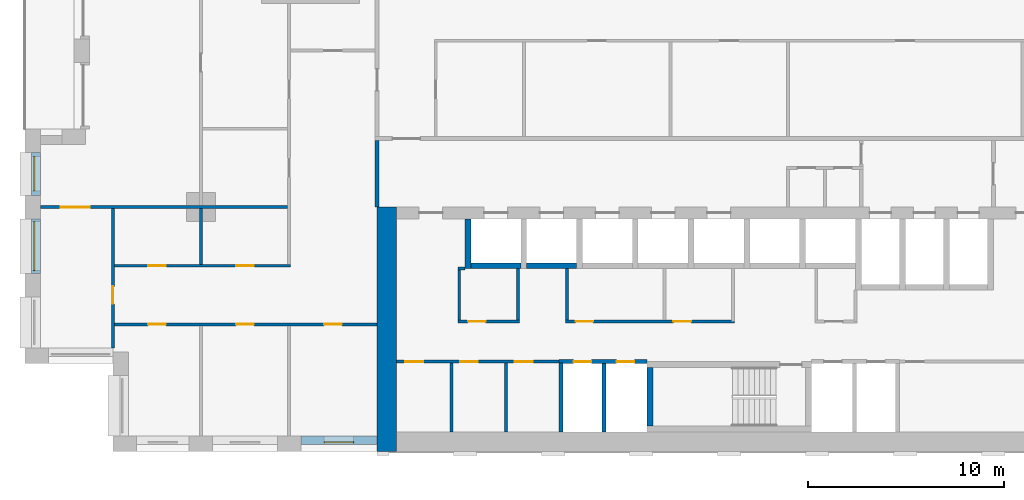
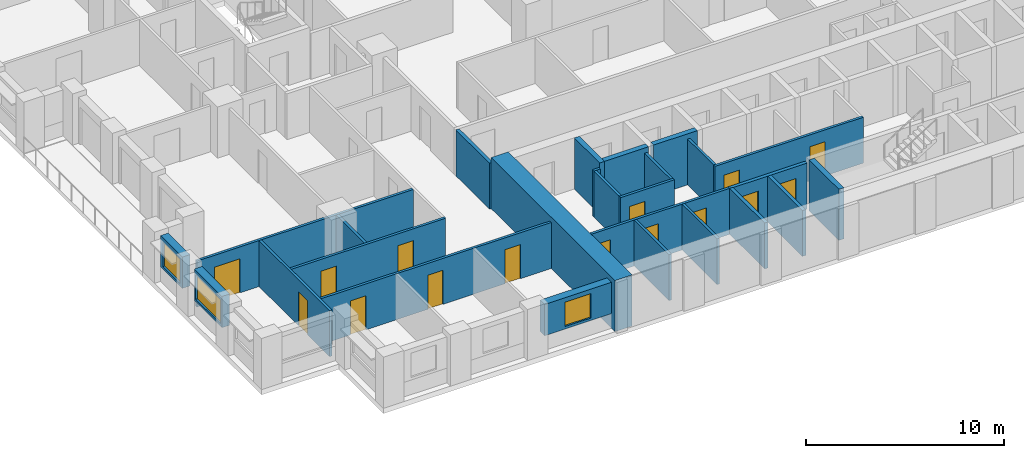
# One storey, part 9 of 20: 26 walls, 15 doors, 3 windows, 18 openings.
"""IFC4 building model written with IfcOpenShell, lengths in metres."""

from ifc_helpers import new_model, si_unit, direction, frame, frame_2d, origin, place, context, subcontext, project, spatial, rectangle, extrude, material, layer, layer_set, type_object, element, fill, save


model = new_model("IFC4")

# Units and contexts
model_context = context("Model", 3, precision=1e-05, world=origin(), true_north=direction((0.0, 1.0)))
body_context = subcontext(model_context, "Body", "Model", "MODEL_VIEW")
ifc_project = project(units=[si_unit("LENGTHUNIT", "METRE"), si_unit("AREAUNIT", "SQUARE_METRE"), si_unit("VOLUMEUNIT", "CUBIC_METRE"), si_unit("PLANEANGLEUNIT", "RADIAN"), si_unit("MASSUNIT", "GRAM", prefix="KILO")], contexts=[model_context])

# Site, building, storey
site_placement = place(None, origin())
site = spatial("IfcSite", under=ifc_project, at=site_placement, CompositionType="ELEMENT")
building_placement = place(site_placement, origin())
building = spatial("IfcBuilding", under=site, at=building_placement, Name="Brigalow Station Residences", CompositionType="ELEMENT")
storey_placement = place(building_placement, frame((0.0, 0.0, 57.300048828125)))
storey = spatial("IfcBuildingStorey", under=building, at=storey_placement, Name="L16", CompositionType="ELEMENT", Elevation=57.300048828125)

# Wall, opening, window
ifc_material_1 = material(Name="Clay brick masonry", Category="masonry")
ifc_layer_1 = layer(ifc_material_1, 0.449951171875)
ifc_layer_set_1 = layer_set([ifc_layer_1], Name="BRICK INFILL WALL 450")
wall_type_1 = type_object("IfcWallType", Name="BRICK INFILL WALL 450", PredefinedType="SOLIDWALL", material=ifc_layer_set_1)
wall_1_placement = place(storey_placement, frame((14.10009765625, 0.574951171875, 0.89990234375), z_axis=(0.0, 0.0, 1.0), x_axis=(1.0, 0.0, 0.0)))
wall_1 = element("IfcWall", 1, at=wall_1_placement, inside=storey, type_object=wall_type_1, Name="L16/ewall/W-L16-3", PredefinedType="SOLIDWALL", context=body_context, shape_type="SweptSolid", body=[
    extrude(rectangle(XDim=3.89990234375, YDim=0.449951171875, at=frame_2d((1.949951171875, 0.0))), origin(), (0.0, 0.0, 1.0), 1.929931640625),
])
opening_1_placement = place(wall_1_placement, frame((1.199951171875, 0.0, 0.14990234375)))
opening_1 = element("IfcOpeningElement", 2, at=opening_1_placement, cuts=wall_1, Name="Opening WT-1", PredefinedType="OPENING", context=body_context, shape_type="SweptSolid", body=[
    extrude(rectangle(XDim=1.5, YDim=1.5, at=frame_2d((0.75, 0.75))), frame((0.0, 0.23486328125, 0.0), z_axis=(0.0, -1.0, 0.0), x_axis=(1.0, 0.0, 0.0)), (0.0, 0.0, 1.0), 0.469970703125),
])
ifc_material_2 = material(Name="Anodised aluminium frame with double glazing", Category="aluminium")
window_type_1 = type_object("IfcWindowType", Name="WINDOW 1500x1500", PartitioningType="SINGLE_PANEL", PredefinedType="WINDOW", material=ifc_material_2)
window_1_placement = place(opening_1_placement, origin())
window_1 = element("IfcWindow", 3, at=window_1_placement, inside=storey, type_object=window_type_1, Name="L16/window/W-L16-3", OverallHeight=1.5, OverallWidth=1.5, PartitioningType="SINGLE_PANEL", PredefinedType="WINDOW", context=body_context, shape_type="SweptSolid", body=[
    extrude(rectangle(XDim=1.5, YDim=1.5, at=frame_2d((0.75, 0.75))), frame((0.0, -0.06494140625, 0.0), z_axis=(0.0, -1.0, 0.0), x_axis=(1.0, 0.0, 0.0)), (0.0, 0.0, 1.0), 0.06005859375),
])
fill(opening_1, window_1)

wall_2_placement = place(storey_placement, frame((0.574951171875, 15.300048828125, 0.89990234375), z_axis=(0.0, 0.0, 1.0), x_axis=(0.0, -1.0, 0.0)))
wall_2 = element("IfcWall", 4, at=wall_2_placement, inside=storey, type_object=wall_type_1, Name="L16/ewall/W-L16-51", PredefinedType="SOLIDWALL", context=body_context, shape_type="SweptSolid", body=[
    extrude(rectangle(XDim=2.199951171875, YDim=0.449951171875, at=frame_2d((1.10009765625, 0.0))), origin(), (0.0, 0.0, 1.0), 1.929931640625),
])
opening_2_placement = place(wall_2_placement, frame((0.22509765625, 0.0, 0.14990234375)))
opening_2 = element("IfcOpeningElement", 5, at=opening_2_placement, cuts=wall_2, Name="Opening WT-4", PredefinedType="OPENING", context=body_context, shape_type="SweptSolid", body=[
    extrude(rectangle(XDim=1.75, YDim=1.5, at=frame_2d((0.875, 0.75))), frame((0.0, 0.23486328125, 0.0), z_axis=(0.0, -1.0, 0.0), x_axis=(1.0, 0.0, 0.0)), (0.0, 0.0, 1.0), 0.469970703125),
])
ifc_material_3 = material(Name="Anodised aluminium frame with double glazing", Category="aluminium")
window_type_2 = type_object("IfcWindowType", Name="WINDOW 1750x1500", PartitioningType="SINGLE_PANEL", PredefinedType="WINDOW", material=ifc_material_3)
window_2_placement = place(opening_2_placement, origin())
window_2 = element("IfcWindow", 6, at=window_2_placement, inside=storey, type_object=window_type_2, Name="L16/window/W-L16-51", OverallHeight=1.5, OverallWidth=1.75, PartitioningType="SINGLE_PANEL", PredefinedType="WINDOW", context=body_context, shape_type="SweptSolid", body=[
    extrude(rectangle(XDim=1.75, YDim=1.5, at=frame_2d((0.875, 0.75))), frame((0.0, -0.06494140625, 0.0), z_axis=(0.0, -1.0, 0.0), x_axis=(1.0, 0.0, 0.0)), (0.0, 0.0, 1.0), 0.06005859375),
])
fill(opening_2, window_2)

wall_3_placement = place(storey_placement, frame((0.574951171875, 11.89990234375, 0.89990234375), z_axis=(0.0, 0.0, 1.0), x_axis=(0.0, -1.0, 0.0)))
wall_3 = element("IfcWall", 7, at=wall_3_placement, inside=storey, type_object=wall_type_1, Name="L16/ewall/W-L16-52", PredefinedType="SOLIDWALL", context=body_context, shape_type="SweptSolid", body=[
    extrude(rectangle(XDim=2.7998046875, YDim=0.449951171875, at=frame_2d((1.39990234375, 0.0))), origin(), (0.0, 0.0, 1.0), 1.929931640625),
])
opening_3_placement = place(wall_3_placement, frame((0.14990234375, 0.0, 0.14990234375)))
opening_3 = element("IfcOpeningElement", 8, at=opening_3_placement, cuts=wall_3, Name="Opening WT-5", PredefinedType="OPENING", context=body_context, shape_type="SweptSolid", body=[
    extrude(rectangle(XDim=2.5, YDim=1.5, at=frame_2d((1.25, 0.75))), frame((0.0, 0.23486328125, 0.0), z_axis=(0.0, -1.0, 0.0), x_axis=(1.0, 0.0, 0.0)), (0.0, 0.0, 1.0), 0.469970703125),
])
ifc_material_4 = material(Name="Anodised aluminium frame with double glazing", Category="aluminium")
window_type_3 = type_object("IfcWindowType", Name="WINDOW 2500x1500", PartitioningType="SINGLE_PANEL", PredefinedType="WINDOW", material=ifc_material_4)
window_3_placement = place(opening_3_placement, origin())
window_3 = element("IfcWindow", 9, at=window_3_placement, inside=storey, type_object=window_type_3, Name="L16/window/W-L16-52", OverallHeight=1.5, OverallWidth=2.5, PartitioningType="SINGLE_PANEL", PredefinedType="WINDOW", context=body_context, shape_type="SweptSolid", body=[
    extrude(rectangle(XDim=2.5, YDim=1.5, at=frame_2d((1.25, 0.75))), frame((0.0, -0.06494140625, 0.0), z_axis=(0.0, -1.0, 0.0), x_axis=(1.0, 0.0, 0.0)), (0.0, 0.0, 1.0), 0.06005859375),
])
fill(opening_3, window_3)

# Walls
ifc_material_5 = material(Name="Concrete C80", Category="concrete")
ifc_layer_2 = layer(ifc_material_5, 1.0)
ifc_layer_set_2 = layer_set([ifc_layer_2], Name="CORE SHEAR WALL 1000 C80")
wall_type_2 = type_object("IfcWallType", Name="CORE SHEAR WALL 1000 C80", PredefinedType="SHEAR", material=ifc_layer_set_2)
wall_4_placement = place(storey_placement, frame((18.5, 0.0, 0.0), z_axis=(0.0, 0.0, 1.0), x_axis=(0.0, 1.0, 0.0)))
element("IfcWall", 10, at=wall_4_placement, inside=storey, type_object=wall_type_2, Name="CORE WALL OUT-W L16", PredefinedType="SHEAR", context=body_context, shape_type="SweptSolid", body=[
    extrude(rectangle(XDim=12.5, YDim=1.0, at=frame_2d((6.25, 0.0))), origin(), (0.0, 0.0, 1.0), 3.14990234375),
])
ifc_material_6 = material(Name="Concrete C80", Category="concrete")
ifc_layer_3 = layer(ifc_material_6, 0.300048828125)
ifc_layer_set_3 = layer_set([ifc_layer_3], Name="CORE SHEAR WALL 300 C80")
wall_type_3 = type_object("IfcWallType", Name="CORE SHEAR WALL 300 C80", PredefinedType="SHEAR", material=ifc_layer_set_3)
wall_5_placement = place(storey_placement, frame((22.800048828125, 9.5, 0.0), z_axis=(0.0, 0.0, 1.0), x_axis=(1.0, 0.0, 0.0)))
element("IfcWall", 11, at=wall_5_placement, inside=storey, type_object=wall_type_3, Name="CORE WALL SH-P1-S L16", PredefinedType="SHEAR", context=body_context, shape_type="SweptSolid", body=[
    extrude(rectangle(XDim=2.550048828125, YDim=0.300048828125, at=frame_2d((1.27490234375, 0.0))), origin(), (0.0, 0.0, 1.0), 3.14990234375),
])
wall_6_placement = place(storey_placement, frame((22.64990234375, 9.35009765625, 0.0), z_axis=(0.0, 0.0, 1.0), x_axis=(0.0, 1.0, 0.0)))
element("IfcWall", 12, at=wall_6_placement, inside=storey, type_object=wall_type_3, Name="CORE WALL SH-P1-W L16", PredefinedType="SHEAR", context=body_context, shape_type="SweptSolid", body=[
    extrude(rectangle(XDim=2.5498046875, YDim=0.300048828125, at=frame_2d((1.27490234375, 0.0))), origin(), (0.0, 0.0, 1.0), 3.14990234375),
])
wall_7_placement = place(storey_placement, frame((25.64990234375, 9.5, 0.0), z_axis=(0.0, 0.0, 1.0), x_axis=(1.0, 0.0, 0.0)))
element("IfcWall", 13, at=wall_7_placement, inside=storey, type_object=wall_type_3, Name="CORE WALL SH-P2-S L16", PredefinedType="SHEAR", context=body_context, shape_type="SweptSolid", body=[
    extrude(rectangle(XDim=2.550048828125, YDim=0.300048828125, at=frame_2d((1.27490234375, 0.0))), origin(), (0.0, 0.0, 1.0), 3.14990234375),
])
wall_8_placement = place(storey_placement, frame((31.949951171875, 1.300048828125, 0.0), z_axis=(0.0, 0.0, 1.0), x_axis=(0.0, 1.0, 0.0)))
element("IfcWall", 14, at=wall_8_placement, inside=storey, type_object=wall_type_3, Name="CORE WALL ST-S2-W L16", PredefinedType="SHEAR", context=body_context, shape_type="SweptSolid", body=[
    extrude(rectangle(XDim=3.0, YDim=0.300048828125, at=frame_2d((1.5, 0.0))), origin(), (0.0, 0.0, 1.0), 3.14990234375),
])

# Wall, openings, doors
ifc_material_7 = material(Name="Concrete blockwork", Category="masonry")
ifc_layer_4 = layer(ifc_material_7, 0.199951171875)
ifc_layer_set_4 = layer_set([ifc_layer_4], Name="FIRE RATED CORE PARTITION 200")
wall_type_4 = type_object("IfcWallType", Name="FIRE RATED CORE PARTITION 200", PredefinedType="PARTITIONING", material=ifc_layer_set_4)
wall_9_placement = place(storey_placement, frame((27.300048828125, 4.60009765625, 0.0), z_axis=(0.0, 0.0, 1.0), x_axis=(1.0, 0.0, 0.0)))
wall_9 = element("IfcWall", 15, at=wall_9_placement, inside=storey, type_object=wall_type_4, Name="PW-5017", PredefinedType="PARTITIONING", context=body_context, shape_type="SweptSolid", body=[
    extrude(rectangle(XDim=4.5, YDim=0.199951171875, at=frame_2d((2.25, 0.0))), origin(), (0.0, 0.0, 1.0), 2.829833984375),
])
opening_4_placement = place(wall_9_placement, frame((0.75, 0.0, 0.0)))
opening_4 = element("IfcOpeningElement", 16, at=opening_4_placement, cuts=wall_9, Name="Opening D-5007", PredefinedType="OPENING", context=body_context, shape_type="SweptSolid", body=[
    extrude(rectangle(XDim=0.89990234375, YDim=2.10009765625, at=frame_2d((0.449951171875, 1.050048828125))), frame((0.0, 0.10986328125, 0.0), z_axis=(0.0, -1.0, 0.0), x_axis=(1.0, 0.0, 0.0)), (0.0, 0.0, 1.0), 0.219970703125),
])
opening_5_placement = place(wall_9_placement, frame((2.949951171875, 0.0, 0.0)))
opening_5 = element("IfcOpeningElement", 17, at=opening_5_placement, cuts=wall_9, Name="Opening D-5008", PredefinedType="OPENING", context=body_context, shape_type="SweptSolid", body=[
    extrude(rectangle(XDim=0.89990234375, YDim=2.10009765625, at=frame_2d((0.449951171875, 1.050048828125))), frame((0.0, 0.10986328125, 0.0), z_axis=(0.0, -1.0, 0.0), x_axis=(1.0, 0.0, 0.0)), (0.0, 0.0, 1.0), 0.219970703125),
])
ifc_material_8 = material(Name="Steel fire door leaf in steel frame", Category="steel")
door_type_1 = type_object("IfcDoorType", Name="RISER ACCESS DOOR 900 x 2100 FD120", OperationType="SINGLE_SWING_LEFT", PredefinedType="DOOR", material=ifc_material_8)
door_1_placement = place(opening_4_placement, frame((0.89990234375, 0.0, 0.0), z_axis=(0.0, 0.0, 1.0), x_axis=(-1.0, 0.0, 0.0)))
door_1 = element("IfcDoor", 18, at=door_1_placement, inside=storey, type_object=door_type_1, Name="D-5007", OperationType="SINGLE_SWING_LEFT", OverallHeight=2.10009765625, OverallWidth=0.89990234375, PredefinedType="DOOR", context=body_context, shape_type="SweptSolid", body=[
    extrude(rectangle(XDim=0.89990234375, YDim=2.10009765625, at=frame_2d((0.449951171875, 1.050048828125))), frame((0.0, 0.02490234375, 0.0), z_axis=(0.0, -1.0, 0.0), x_axis=(1.0, 0.0, 0.0)), (0.0, 0.0, 1.0), 0.050048828125),
])
fill(opening_4, door_1)
door_2_placement = place(opening_5_placement, frame((0.89990234375, 0.0, 0.0), z_axis=(0.0, 0.0, 1.0), x_axis=(-1.0, 0.0, 0.0)))
door_2 = element("IfcDoor", 19, at=door_2_placement, inside=storey, type_object=door_type_1, Name="D-5008", OperationType="SINGLE_SWING_RIGHT", OverallHeight=2.10009765625, OverallWidth=0.89990234375, PredefinedType="DOOR", context=body_context, shape_type="SweptSolid", body=[
    extrude(rectangle(XDim=0.89990234375, YDim=2.10009765625, at=frame_2d((0.449951171875, 1.050048828125))), frame((0.0, 0.02490234375, 0.0), z_axis=(0.0, -1.0, 0.0), x_axis=(1.0, 0.0, 0.0)), (0.0, 0.0, 1.0), 0.050048828125),
])
fill(opening_5, door_2)

# Walls
wall_10_placement = place(storey_placement, frame((27.39990234375, 1.0, 0.0), z_axis=(0.0, 0.0, 1.0), x_axis=(0.0, 1.0, 0.0)))
element("IfcWall", 20, at=wall_10_placement, inside=storey, type_object=wall_type_4, Name="PW-5027", PredefinedType="PARTITIONING", context=body_context, shape_type="SweptSolid", body=[
    extrude(rectangle(XDim=3.52490234375, YDim=0.199951171875, at=frame_2d((1.762451171875, 0.0))), origin(), (0.0, 0.0, 1.0), 2.829833984375),
])
wall_11_placement = place(storey_placement, frame((29.60009765625, 1.0, 0.0), z_axis=(0.0, 0.0, 1.0), x_axis=(0.0, 1.0, 0.0)))
element("IfcWall", 21, at=wall_11_placement, inside=storey, type_object=wall_type_4, Name="PW-5006", PredefinedType="PARTITIONING", context=body_context, shape_type="SweptSolid", body=[
    extrude(rectangle(XDim=3.5, YDim=0.199951171875, at=frame_2d((1.75, 0.0))), origin(), (0.0, 0.0, 1.0), 2.829833984375),
])
wall_12_placement = place(storey_placement, frame((18.0, 12.5, 0.0), z_axis=(0.0, 0.0, 1.0), x_axis=(0.0, 1.0, 0.0)))
element("IfcWall", 22, at=wall_12_placement, inside=storey, type_object=wall_type_4, Name="PW-5013", PredefinedType="PARTITIONING", context=body_context, shape_type="SweptSolid", body=[
    extrude(rectangle(XDim=3.39990234375, YDim=0.199951171875, at=frame_2d((1.699951171875, 0.0))), origin(), (0.0, 0.0, 1.0), 2.829833984375),
])

# Wall, openings, doors
ifc_material_9 = material(Name="Plasterboard on steel stud partition", Category="steel")
ifc_layer_5 = layer(ifc_material_9, 0.14990234375)
ifc_layer_set_5 = layer_set([ifc_layer_5], Name="FLAT PARTITION 150")
wall_type_5 = type_object("IfcWallType", Name="FLAT PARTITION 150", PredefinedType="PARTITIONING", material=ifc_layer_set_5)
wall_13_placement = place(storey_placement, frame((4.574951171875, 6.5, 0.0), z_axis=(0.0, 0.0, 1.0), x_axis=(1.0, 0.0, 0.0)))
wall_13 = element("IfcWall", 23, at=wall_13_placement, inside=storey, type_object=wall_type_5, Name="PW-1E11", PredefinedType="PARTITIONING", context=body_context, shape_type="SweptSolid", body=[
    extrude(rectangle(XDim=13.425048828125, YDim=0.14990234375, at=frame_2d((6.71240234375, 0.0))), origin(), (0.0, 0.0, 1.0), 2.829833984375),
])
opening_6_placement = place(wall_13_placement, frame((1.72509765625, 0.0, 0.0)))
opening_6 = element("IfcOpeningElement", 24, at=opening_6_placement, cuts=wall_13, Name="Opening D-1E04", PredefinedType="OPENING", context=body_context, shape_type="SweptSolid", body=[
    extrude(rectangle(XDim=0.89990234375, YDim=2.10009765625, at=frame_2d((0.449951171875, 1.050048828125))), frame((0.0, 0.0849609375, 0.0), z_axis=(0.0, -1.0, 0.0), x_axis=(1.0, 0.0, 0.0)), (0.0, 0.0, 1.0), 0.169921875),
])
opening_7_placement = place(wall_13_placement, frame((6.22509765625, 0.0, 0.0)))
opening_7 = element("IfcOpeningElement", 25, at=opening_7_placement, cuts=wall_13, Name="Opening D-1E05", PredefinedType="OPENING", context=body_context, shape_type="SweptSolid", body=[
    extrude(rectangle(XDim=0.89990234375, YDim=2.10009765625, at=frame_2d((0.449951171875, 1.050048828125))), frame((0.0, 0.0849609375, 0.0), z_axis=(0.0, -1.0, 0.0), x_axis=(1.0, 0.0, 0.0)), (0.0, 0.0, 1.0), 0.169921875),
])
opening_8_placement = place(wall_13_placement, frame((10.72509765625, 0.0, 0.0)))
opening_8 = element("IfcOpeningElement", 26, at=opening_8_placement, cuts=wall_13, Name="Opening D-1E06", PredefinedType="OPENING", context=body_context, shape_type="SweptSolid", body=[
    extrude(rectangle(XDim=0.89990234375, YDim=2.10009765625, at=frame_2d((0.449951171875, 1.050048828125))), frame((0.0, 0.0849609375, 0.0), z_axis=(0.0, -1.0, 0.0), x_axis=(1.0, 0.0, 0.0)), (0.0, 0.0, 1.0), 0.169921875),
])
ifc_material_10 = material(Name="Solid-core timber door leaf", Category="wood")
door_type_2 = type_object("IfcDoorType", Name="INTERNAL DOOR 900 x 2100", OperationType="SINGLE_SWING_LEFT", PredefinedType="DOOR", material=ifc_material_10)
door_3_placement = place(opening_6_placement, frame((0.89990234375, 0.0, 0.0), z_axis=(0.0, 0.0, 1.0), x_axis=(-1.0, 0.0, 0.0)))
door_3 = element("IfcDoor", 27, at=door_3_placement, inside=storey, type_object=door_type_2, Name="D-1E04", OperationType="SINGLE_SWING_RIGHT", OverallHeight=2.10009765625, OverallWidth=0.89990234375, PredefinedType="DOOR", context=body_context, shape_type="SweptSolid", body=[
    extrude(rectangle(XDim=0.89990234375, YDim=2.10009765625, at=frame_2d((0.449951171875, 1.050048828125))), frame((0.0, 0.02490234375, 0.0), z_axis=(0.0, -1.0, 0.0), x_axis=(1.0, 0.0, 0.0)), (0.0, 0.0, 1.0), 0.050048828125),
])
fill(opening_6, door_3)
door_4_placement = place(opening_7_placement, frame((0.89990234375, 0.0, 0.0), z_axis=(0.0, 0.0, 1.0), x_axis=(-1.0, 0.0, 0.0)))
door_4 = element("IfcDoor", 28, at=door_4_placement, inside=storey, type_object=door_type_2, Name="D-1E05", OperationType="SINGLE_SWING_RIGHT", OverallHeight=2.10009765625, OverallWidth=0.89990234375, PredefinedType="DOOR", context=body_context, shape_type="SweptSolid", body=[
    extrude(rectangle(XDim=0.89990234375, YDim=2.10009765625, at=frame_2d((0.449951171875, 1.050048828125))), frame((0.0, 0.02490234375, 0.0), z_axis=(0.0, -1.0, 0.0), x_axis=(1.0, 0.0, 0.0)), (0.0, 0.0, 1.0), 0.050048828125),
])
fill(opening_7, door_4)
door_5_placement = place(opening_8_placement, frame((0.89990234375, 0.0, 0.0), z_axis=(0.0, 0.0, 1.0), x_axis=(-1.0, 0.0, 0.0)))
door_5 = element("IfcDoor", 29, at=door_5_placement, inside=storey, type_object=door_type_2, Name="D-1E06", OperationType="SINGLE_SWING_RIGHT", OverallHeight=2.10009765625, OverallWidth=0.89990234375, PredefinedType="DOOR", context=body_context, shape_type="SweptSolid", body=[
    extrude(rectangle(XDim=0.89990234375, YDim=2.10009765625, at=frame_2d((0.449951171875, 1.050048828125))), frame((0.0, 0.02490234375, 0.0), z_axis=(0.0, -1.0, 0.0), x_axis=(1.0, 0.0, 0.0)), (0.0, 0.0, 1.0), 0.050048828125),
])
fill(opening_8, door_5)

# Wall, opening, door
wall_14_placement = place(storey_placement, frame((0.800048828125, 12.5, 0.0), z_axis=(0.0, 0.0, 1.0), x_axis=(1.0, 0.0, 0.0)))
wall_14 = element("IfcWall", 30, at=wall_14_placement, inside=storey, type_object=wall_type_5, Name="PW-1E12", PredefinedType="PARTITIONING", context=body_context, shape_type="SweptSolid", body=[
    extrude(rectangle(XDim=12.625, YDim=0.14990234375, at=frame_2d((6.3125, 0.0))), origin(), (0.0, 0.0, 1.0), 2.829833984375),
])
opening_9_placement = place(wall_14_placement, frame((1.02490234375, 0.0, 0.0)))
opening_9 = element("IfcOpeningElement", 31, at=opening_9_placement, cuts=wall_14, Name="Opening D-1E20", PredefinedType="OPENING", context=body_context, shape_type="SweptSolid", body=[
    extrude(rectangle(XDim=1.5, YDim=2.10009765625, at=frame_2d((0.75, 1.050048828125))), frame((0.0, 0.0849609375, 0.0), z_axis=(0.0, -1.0, 0.0), x_axis=(1.0, 0.0, 0.0)), (0.0, 0.0, 1.0), 0.169921875),
])
ifc_material_11 = material(Name="Solid-core timber door leaf", Category="wood")
door_type_3 = type_object("IfcDoorType", Name="INTERNAL DOUBLE DOOR 1500 x 2100", OperationType="DOUBLE_DOOR_SINGLE_SWING", PredefinedType="DOOR", material=ifc_material_11)
door_6_placement = place(opening_9_placement, frame((1.5, 0.0, 0.0), z_axis=(0.0, 0.0, 1.0), x_axis=(-1.0, 0.0, 0.0)))
door_6 = element("IfcDoor", 32, at=door_6_placement, inside=storey, type_object=door_type_3, Name="D-1E20", OperationType="DOUBLE_DOOR_SINGLE_SWING", OverallHeight=2.10009765625, OverallWidth=1.5, PredefinedType="DOOR", context=body_context, shape_type="SweptSolid", body=[
    extrude(rectangle(XDim=1.5, YDim=2.10009765625, at=frame_2d((0.75, 1.050048828125))), frame((0.0, 0.02490234375, 0.0), z_axis=(0.0, -1.0, 0.0), x_axis=(1.0, 0.0, 0.0)), (0.0, 0.0, 1.0), 0.050048828125),
])
fill(opening_9, door_6)

# Wall, openings, doors
wall_15_placement = place(storey_placement, frame((4.574951171875, 9.5, 0.0), z_axis=(0.0, 0.0, 1.0), x_axis=(1.0, 0.0, 0.0)))
wall_15 = element("IfcWall", 33, at=wall_15_placement, inside=storey, type_object=wall_type_5, Name="PW-1E15", PredefinedType="PARTITIONING", context=body_context, shape_type="SweptSolid", body=[
    extrude(rectangle(XDim=9.0, YDim=0.14990234375, at=frame_2d((4.5, 0.0))), origin(), (0.0, 0.0, 1.0), 2.829833984375),
])
opening_10_placement = place(wall_15_placement, frame((1.72509765625, 0.0, 0.0)))
opening_10 = element("IfcOpeningElement", 34, at=opening_10_placement, cuts=wall_15, Name="Opening D-1E03", PredefinedType="OPENING", context=body_context, shape_type="SweptSolid", body=[
    extrude(rectangle(XDim=0.89990234375, YDim=2.10009765625, at=frame_2d((0.449951171875, 1.050048828125))), frame((0.0, 0.0849609375, 0.0), z_axis=(0.0, -1.0, 0.0), x_axis=(1.0, 0.0, 0.0)), (0.0, 0.0, 1.0), 0.169921875),
])
opening_11_placement = place(wall_15_placement, frame((6.22509765625, 0.0, 0.0)))
opening_11 = element("IfcOpeningElement", 35, at=opening_11_placement, cuts=wall_15, Name="Opening D-1E11", PredefinedType="OPENING", context=body_context, shape_type="SweptSolid", body=[
    extrude(rectangle(XDim=0.89990234375, YDim=2.10009765625, at=frame_2d((0.449951171875, 1.050048828125))), frame((0.0, 0.0849609375, 0.0), z_axis=(0.0, -1.0, 0.0), x_axis=(1.0, 0.0, 0.0)), (0.0, 0.0, 1.0), 0.169921875),
])
door_7_placement = place(opening_10_placement, origin())
door_7 = element("IfcDoor", 36, at=door_7_placement, inside=storey, type_object=door_type_2, Name="D-1E03", OperationType="SINGLE_SWING_RIGHT", OverallHeight=2.10009765625, OverallWidth=0.89990234375, PredefinedType="DOOR", context=body_context, shape_type="SweptSolid", body=[
    extrude(rectangle(XDim=0.89990234375, YDim=2.10009765625, at=frame_2d((0.449951171875, 1.050048828125))), frame((0.0, 0.02490234375, 0.0), z_axis=(0.0, -1.0, 0.0), x_axis=(1.0, 0.0, 0.0)), (0.0, 0.0, 1.0), 0.050048828125),
])
fill(opening_10, door_7)
door_8_placement = place(opening_11_placement, origin())
door_8 = element("IfcDoor", 37, at=door_8_placement, inside=storey, type_object=door_type_2, Name="D-1E11", OperationType="SINGLE_SWING_LEFT", OverallHeight=2.10009765625, OverallWidth=0.89990234375, PredefinedType="DOOR", context=body_context, shape_type="SweptSolid", body=[
    extrude(rectangle(XDim=0.89990234375, YDim=2.10009765625, at=frame_2d((0.449951171875, 1.050048828125))), frame((0.0, 0.02490234375, 0.0), z_axis=(0.0, -1.0, 0.0), x_axis=(1.0, 0.0, 0.0)), (0.0, 0.0, 1.0), 0.050048828125),
])
fill(opening_11, door_8)

# Wall
wall_16_placement = place(storey_placement, frame((9.0, 9.574951171875, 0.0), z_axis=(0.0, 0.0, 1.0), x_axis=(0.0, 1.0, 0.0)))
element("IfcWall", 38, at=wall_16_placement, inside=storey, type_object=wall_type_5, Name="PW-1E49", PredefinedType="PARTITIONING", context=body_context, shape_type="SweptSolid", body=[
    extrude(rectangle(XDim=2.85009765625, YDim=0.14990234375, at=frame_2d((1.425048828125, 0.0))), origin(), (0.0, 0.0, 1.0), 2.829833984375),
])

# Wall, opening, door
wall_17_placement = place(storey_placement, frame((4.5, 5.300048828125, 0.0), z_axis=(0.0, 0.0, 1.0), x_axis=(0.0, 1.0, 0.0)))
wall_17 = element("IfcWall", 39, at=wall_17_placement, inside=storey, type_object=wall_type_5, Name="PW-1E55", PredefinedType="PARTITIONING", context=body_context, shape_type="SweptSolid", body=[
    extrude(rectangle(XDim=7.125, YDim=0.14990234375, at=frame_2d((3.5625, 0.0))), origin(), (0.0, 0.0, 1.0), 2.829833984375),
])
opening_12_placement = place(wall_17_placement, frame((2.25, 0.0, 0.0)))
opening_12 = element("IfcOpeningElement", 40, at=opening_12_placement, cuts=wall_17, Name="Opening D-1E14", PredefinedType="OPENING", context=body_context, shape_type="SweptSolid", body=[
    extrude(rectangle(XDim=0.89990234375, YDim=2.10009765625, at=frame_2d((0.449951171875, 1.050048828125))), frame((0.0, 0.0849609375, 0.0), z_axis=(0.0, -1.0, 0.0), x_axis=(1.0, 0.0, 0.0)), (0.0, 0.0, 1.0), 0.169921875),
])
door_9_placement = place(opening_12_placement, origin())
door_9 = element("IfcDoor", 41, at=door_9_placement, inside=storey, type_object=door_type_2, Name="D-1E14", OperationType="SINGLE_SWING_LEFT", OverallHeight=2.10009765625, OverallWidth=0.89990234375, PredefinedType="DOOR", context=body_context, shape_type="SweptSolid", body=[
    extrude(rectangle(XDim=0.89990234375, YDim=2.10009765625, at=frame_2d((0.449951171875, 1.050048828125))), frame((0.0, 0.02490234375, 0.0), z_axis=(0.0, -1.0, 0.0), x_axis=(1.0, 0.0, 0.0)), (0.0, 0.0, 1.0), 0.050048828125),
])
fill(opening_12, door_9)

# Wall, openings, doors
ifc_material_12 = material(Name="Plasterboard on steel studs", Category="steel")
ifc_layer_6 = layer(ifc_material_12, 0.14990234375)
ifc_layer_set_6 = layer_set([ifc_layer_6], Name="SERVICE ROOM PARTITION 150")
wall_type_6 = type_object("IfcWallType", Name="SERVICE ROOM PARTITION 150", PredefinedType="PARTITIONING", material=ifc_layer_set_6)
wall_18_placement = place(storey_placement, frame((19.0, 4.60009765625, 0.0), z_axis=(0.0, 0.0, 1.0), x_axis=(1.0, 0.0, 0.0)))
wall_18 = element("IfcWall", 42, at=wall_18_placement, inside=storey, type_object=wall_type_6, Name="PW-5019", PredefinedType="PARTITIONING", context=body_context, shape_type="SweptSolid", body=[
    extrude(rectangle(XDim=8.300048828125, YDim=0.14990234375, at=frame_2d((4.14990234375, 0.0))), origin(), (0.0, 0.0, 1.0), 2.829833984375),
])
opening_13_placement = place(wall_18_placement, frame((0.449951171875, 0.0, 0.0)))
opening_13 = element("IfcOpeningElement", 43, at=opening_13_placement, cuts=wall_18, Name="Opening D-5025", PredefinedType="OPENING", context=body_context, shape_type="SweptSolid", body=[
    extrude(rectangle(XDim=0.89990234375, YDim=2.10009765625, at=frame_2d((0.449951171875, 1.050048828125))), frame((0.0, 0.0849609375, 0.0), z_axis=(0.0, -1.0, 0.0), x_axis=(1.0, 0.0, 0.0)), (0.0, 0.0, 1.0), 0.169921875),
])
opening_14_placement = place(wall_18_placement, frame((3.25, 0.0, 0.0)))
opening_14 = element("IfcOpeningElement", 44, at=opening_14_placement, cuts=wall_18, Name="Opening D-5081", PredefinedType="OPENING", context=body_context, shape_type="SweptSolid", body=[
    extrude(rectangle(XDim=0.89990234375, YDim=2.10009765625, at=frame_2d((0.449951171875, 1.050048828125))), frame((0.0, 0.0849609375, 0.0), z_axis=(0.0, -1.0, 0.0), x_axis=(1.0, 0.0, 0.0)), (0.0, 0.0, 1.0), 0.169921875),
])
opening_15_placement = place(wall_18_placement, frame((6.050048828125, 0.0, 0.0)))
opening_15 = element("IfcOpeningElement", 45, at=opening_15_placement, cuts=wall_18, Name="Opening D-5082", PredefinedType="OPENING", context=body_context, shape_type="SweptSolid", body=[
    extrude(rectangle(XDim=0.89990234375, YDim=2.10009765625, at=frame_2d((0.449951171875, 1.050048828125))), frame((0.0, 0.0849609375, 0.0), z_axis=(0.0, -1.0, 0.0), x_axis=(1.0, 0.0, 0.0)), (0.0, 0.0, 1.0), 0.169921875),
])
ifc_material_13 = material(Name="Steel door leaf in steel frame", Category="steel")
door_type_4 = type_object("IfcDoorType", Name="SERVICE ROOM DOOR 900 x 2100 FD60", OperationType="SINGLE_SWING_LEFT", PredefinedType="DOOR", material=ifc_material_13)
door_10_placement = place(opening_13_placement, frame((0.89990234375, 0.0, 0.0), z_axis=(0.0, 0.0, 1.0), x_axis=(-1.0, 0.0, 0.0)))
door_10 = element("IfcDoor", 46, at=door_10_placement, inside=storey, type_object=door_type_4, Name="D-5025", OperationType="SINGLE_SWING_RIGHT", OverallHeight=2.10009765625, OverallWidth=0.89990234375, PredefinedType="DOOR", context=body_context, shape_type="SweptSolid", body=[
    extrude(rectangle(XDim=0.89990234375, YDim=2.10009765625, at=frame_2d((0.449951171875, 1.050048828125))), frame((0.0, 0.02490234375, 0.0), z_axis=(0.0, -1.0, 0.0), x_axis=(1.0, 0.0, 0.0)), (0.0, 0.0, 1.0), 0.050048828125),
])
fill(opening_13, door_10)
door_11_placement = place(opening_14_placement, frame((0.89990234375, 0.0, 0.0), z_axis=(0.0, 0.0, 1.0), x_axis=(-1.0, 0.0, 0.0)))
door_11 = element("IfcDoor", 47, at=door_11_placement, inside=storey, type_object=door_type_4, Name="D-5081", OperationType="SINGLE_SWING_RIGHT", OverallHeight=2.10009765625, OverallWidth=0.89990234375, PredefinedType="DOOR", context=body_context, shape_type="SweptSolid", body=[
    extrude(rectangle(XDim=0.89990234375, YDim=2.10009765625, at=frame_2d((0.449951171875, 1.050048828125))), frame((0.0, 0.02490234375, 0.0), z_axis=(0.0, -1.0, 0.0), x_axis=(1.0, 0.0, 0.0)), (0.0, 0.0, 1.0), 0.050048828125),
])
fill(opening_14, door_11)
door_12_placement = place(opening_15_placement, frame((0.89990234375, 0.0, 0.0), z_axis=(0.0, 0.0, 1.0), x_axis=(-1.0, 0.0, 0.0)))
door_12 = element("IfcDoor", 48, at=door_12_placement, inside=storey, type_object=door_type_4, Name="D-5082", OperationType="SINGLE_SWING_RIGHT", OverallHeight=2.10009765625, OverallWidth=0.89990234375, PredefinedType="DOOR", context=body_context, shape_type="SweptSolid", body=[
    extrude(rectangle(XDim=0.89990234375, YDim=2.10009765625, at=frame_2d((0.449951171875, 1.050048828125))), frame((0.0, 0.02490234375, 0.0), z_axis=(0.0, -1.0, 0.0), x_axis=(1.0, 0.0, 0.0)), (0.0, 0.0, 1.0), 0.050048828125),
])
fill(opening_15, door_12)

# Wall, opening, door
wall_19_placement = place(storey_placement, frame((22.125, 6.64990234375, 0.0), z_axis=(0.0, 0.0, 1.0), x_axis=(1.0, 0.0, 0.0)))
wall_19 = element("IfcWall", 49, at=wall_19_placement, inside=storey, type_object=wall_type_6, Name="PW-5141", PredefinedType="PARTITIONING", context=body_context, shape_type="SweptSolid", body=[
    extrude(rectangle(XDim=3.14990234375, YDim=0.14990234375, at=frame_2d((1.574951171875, 0.0))), origin(), (0.0, 0.0, 1.0), 2.829833984375),
])
opening_16_placement = place(wall_19_placement, frame((0.52490234375, 0.0, 0.0)))
opening_16 = element("IfcOpeningElement", 50, at=opening_16_placement, cuts=wall_19, Name="Opening D-5021", PredefinedType="OPENING", context=body_context, shape_type="SweptSolid", body=[
    extrude(rectangle(XDim=0.89990234375, YDim=2.10009765625, at=frame_2d((0.449951171875, 1.050048828125))), frame((0.0, 0.0849609375, 0.0), z_axis=(0.0, -1.0, 0.0), x_axis=(1.0, 0.0, 0.0)), (0.0, 0.0, 1.0), 0.169921875),
])
door_13_placement = place(opening_16_placement, origin())
door_13 = element("IfcDoor", 51, at=door_13_placement, inside=storey, type_object=door_type_4, Name="D-5021", OperationType="SINGLE_SWING_LEFT", OverallHeight=2.10009765625, OverallWidth=0.89990234375, PredefinedType="DOOR", context=body_context, shape_type="SweptSolid", body=[
    extrude(rectangle(XDim=0.89990234375, YDim=2.10009765625, at=frame_2d((0.449951171875, 1.050048828125))), frame((0.0, 0.02490234375, 0.0), z_axis=(0.0, -1.0, 0.0), x_axis=(1.0, 0.0, 0.0)), (0.0, 0.0, 1.0), 0.050048828125),
])
fill(opening_16, door_13)

# Wall, openings, doors
wall_20_placement = place(storey_placement, frame((27.625, 6.64990234375, 0.0), z_axis=(0.0, 0.0, 1.0), x_axis=(1.0, 0.0, 0.0)))
wall_20 = element("IfcWall", 52, at=wall_20_placement, inside=storey, type_object=wall_type_6, Name="PW-5142", PredefinedType="PARTITIONING", context=body_context, shape_type="SweptSolid", body=[
    extrude(rectangle(XDim=8.64990234375, YDim=0.14990234375, at=frame_2d((4.324951171875, 0.0))), origin(), (0.0, 0.0, 1.0), 2.829833984375),
])
opening_17_placement = place(wall_20_placement, frame((0.52490234375, 0.0, 0.0)))
opening_17 = element("IfcOpeningElement", 53, at=opening_17_placement, cuts=wall_20, Name="Opening D-5080", PredefinedType="OPENING", context=body_context, shape_type="SweptSolid", body=[
    extrude(rectangle(XDim=0.89990234375, YDim=2.10009765625, at=frame_2d((0.449951171875, 1.050048828125))), frame((0.0, 0.0849609375, 0.0), z_axis=(0.0, -1.0, 0.0), x_axis=(1.0, 0.0, 0.0)), (0.0, 0.0, 1.0), 0.169921875),
])
opening_18_placement = place(wall_20_placement, frame((5.52490234375, 0.0, 0.0)))
opening_18 = element("IfcOpeningElement", 54, at=opening_18_placement, cuts=wall_20, Name="Opening D-5073", PredefinedType="OPENING", context=body_context, shape_type="SweptSolid", body=[
    extrude(rectangle(XDim=0.89990234375, YDim=2.10009765625, at=frame_2d((0.449951171875, 1.050048828125))), frame((0.0, 0.0849609375, 0.0), z_axis=(0.0, -1.0, 0.0), x_axis=(1.0, 0.0, 0.0)), (0.0, 0.0, 1.0), 0.169921875),
])
door_14_placement = place(opening_17_placement, origin())
door_14 = element("IfcDoor", 55, at=door_14_placement, inside=storey, type_object=door_type_4, Name="D-5080", OperationType="SINGLE_SWING_LEFT", OverallHeight=2.10009765625, OverallWidth=0.89990234375, PredefinedType="DOOR", context=body_context, shape_type="SweptSolid", body=[
    extrude(rectangle(XDim=0.89990234375, YDim=2.10009765625, at=frame_2d((0.449951171875, 1.050048828125))), frame((0.0, 0.02490234375, 0.0), z_axis=(0.0, -1.0, 0.0), x_axis=(1.0, 0.0, 0.0)), (0.0, 0.0, 1.0), 0.050048828125),
])
fill(opening_17, door_14)
door_15_placement = place(opening_18_placement, origin())
door_15 = element("IfcDoor", 56, at=door_15_placement, inside=storey, type_object=door_type_4, Name="D-5073", OperationType="SINGLE_SWING_LEFT", OverallHeight=2.10009765625, OverallWidth=0.89990234375, PredefinedType="DOOR", context=body_context, shape_type="SweptSolid", body=[
    extrude(rectangle(XDim=0.89990234375, YDim=2.10009765625, at=frame_2d((0.449951171875, 1.050048828125))), frame((0.0, 0.02490234375, 0.0), z_axis=(0.0, -1.0, 0.0), x_axis=(1.0, 0.0, 0.0)), (0.0, 0.0, 1.0), 0.050048828125),
])
fill(opening_18, door_15)

# Walls
wall_21_placement = place(storey_placement, frame((22.125, 9.35009765625, 0.0), z_axis=(0.0, 0.0, 1.0), x_axis=(1.0, 0.0, 0.0)))
element("IfcWall", 57, at=wall_21_placement, inside=storey, type_object=wall_type_6, Name="PW-5022", PredefinedType="PARTITIONING", context=body_context, shape_type="SweptSolid", body=[
    extrude(rectangle(XDim=0.375, YDim=0.14990234375, at=frame_2d((0.1875, 0.0))), origin(), (0.0, 0.0, 1.0), 2.829833984375),
])
for number, where, z_axis, x_axis, name in (
    (58, (21.800048828125, 1.0, 0.0), (0.0, 0.0, 1.0), (0.0, 1.0, 0.0), "PW-5143"),
    (59, (24.60009765625, 1.0, 0.0), (0.0, 0.0, 1.0), (0.0, 1.0, 0.0), "PW-5144"),
):
    element("IfcWall", number, at=place(storey_placement, frame(where, z_axis=z_axis, x_axis=x_axis)), inside=storey, type_object=wall_type_6, Name=name, PredefinedType="PARTITIONING", context=body_context, shape_type="SweptSolid", body=[
        extrude(rectangle(XDim=3.52490234375, YDim=0.14990234375, at=frame_2d((1.762451171875, 0.0))), origin(), (0.0, 0.0, 1.0), 2.829833984375),
    ])
wall_22_placement = place(storey_placement, frame((22.199951171875, 6.72509765625, 0.0), z_axis=(0.0, 0.0, 1.0), x_axis=(0.0, 1.0, 0.0)))
element("IfcWall", 60, at=wall_22_placement, inside=storey, type_object=wall_type_6, Name="PW-5030", PredefinedType="PARTITIONING", context=body_context, shape_type="SweptSolid", body=[
    extrude(rectangle(XDim=2.5498046875, YDim=0.14990234375, at=frame_2d((1.27490234375, 0.0))), origin(), (0.0, 0.0, 1.0), 2.829833984375),
])
for number, where, z_axis, x_axis, name in (
    (61, (25.199951171875, 6.72509765625, 0.0), (0.0, 0.0, 1.0), (0.0, 1.0, 0.0), "PW-5146"),
    (62, (27.699951171875, 6.72509765625, 0.0), (0.0, 0.0, 1.0), (0.0, 1.0, 0.0), "PW-5147"),
):
    element("IfcWall", number, at=place(storey_placement, frame(where, z_axis=z_axis, x_axis=x_axis)), inside=storey, type_object=wall_type_6, Name=name, PredefinedType="PARTITIONING", context=body_context, shape_type="SweptSolid", body=[
        extrude(rectangle(XDim=2.625, YDim=0.14990234375, at=frame_2d((1.3125, 0.0))), origin(), (0.0, 0.0, 1.0), 2.829833984375),
    ])

save(model, "model.ifc")
